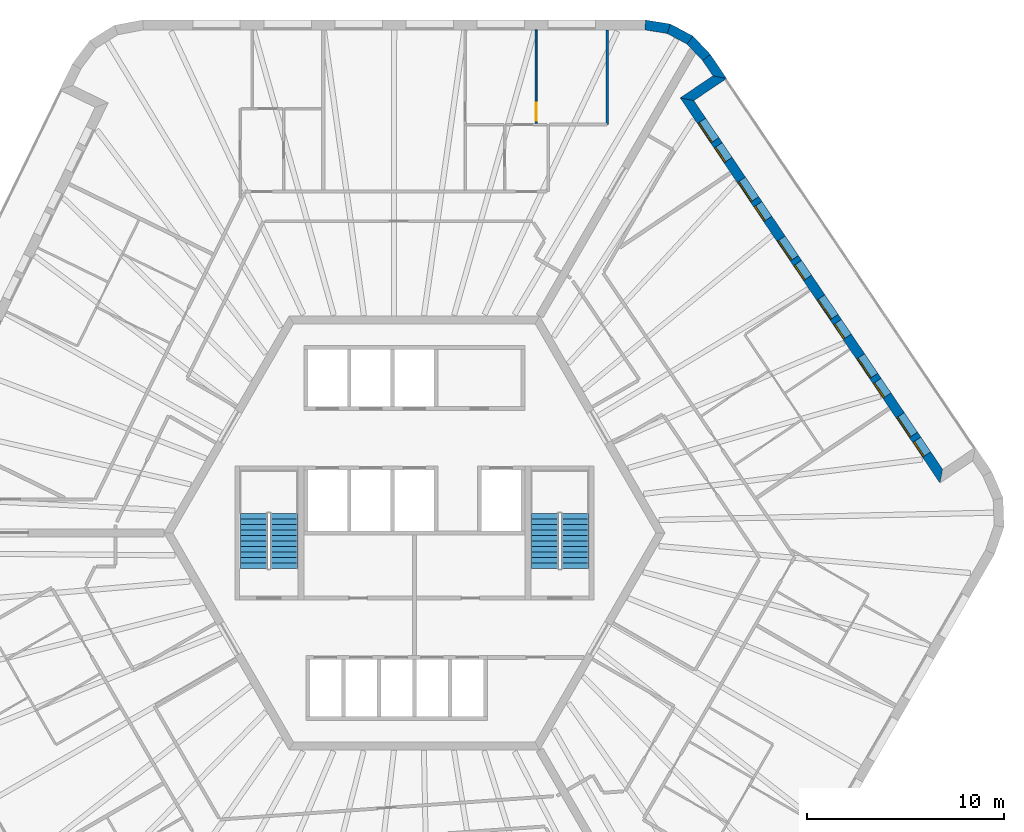
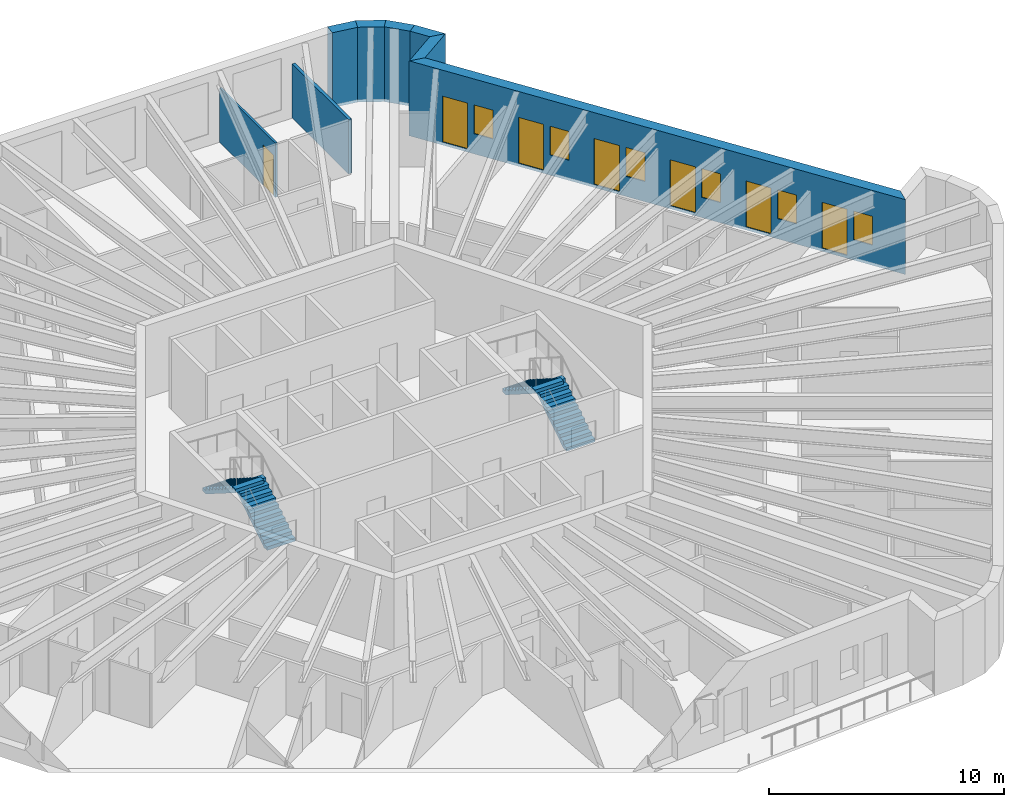
# One storey, part 11 of 12: 8 walls, 7 doors, 6 windows, 4 stair flights, 13 openings, 2 elements without a shape of their own.
"""IFC4 building model written with IfcOpenShell, lengths in metres."""

import ifcopenshell
import ifcopenshell.guid

model = None  # the IFC model being written
_history = None  # IfcOwnerHistory: only IFC2X3 demands one
_inside = {}  # id of a spatial element -> (the spatial element, [elements in it])
_under = {}  # id of a project, library or spatial element -> (it, [spatial elements below it])
_declared = {}  # id of a project -> (the project, [libraries it declares])
_typed = {}  # id of a type object -> (the type object, [elements of that type])
_made_of = {}  # id of a material, layer set ... -> (it, [elements and type objects made of it])


def new_model(schema):
    """Start an empty IFC model of exactly this schema.

    Asked for "IFC4X3", IfcOpenShell would pick the latest addendum, in which some entities
    have other attributes; the version numbers below select the first issue.
    IFC2X3 requires an IfcOwnerHistory on every rooted entity: one is made here for all.
    """
    global model, _history
    if schema == "IFC4X3":
        model = ifcopenshell.file(schema_version=(4, 3, 0, 0))
    else:
        model = ifcopenshell.file(schema=schema)
    _inside.clear()
    _under.clear()
    _declared.clear()
    _typed.clear()
    _made_of.clear()
    _history = None
    if model.schema == "IFC2X3":
        org = make("IfcOrganization", Name="unknown")
        user = make(
            "IfcPersonAndOrganization",
            ThePerson=make("IfcPerson", FamilyName="unknown"),
            TheOrganization=org,
        )
        app = make(
            "IfcApplication",
            ApplicationDeveloper=org,
            Version="unknown",
            ApplicationFullName="unknown",
            ApplicationIdentifier="unknown",
        )
        _history = make(
            "IfcOwnerHistory",
            OwningUser=user,
            OwningApplication=app,
            ChangeAction="ADDED",
            CreationDate=0,
        )
    return model


def make(cls, **values):
    """One entity of the class cls with the attributes given. An attribute that is None is left unset."""
    return model.create_entity(
        cls, **{name: value for name, value in values.items() if value is not None}
    )


def rooted(cls, **values):
    """An entity with a GlobalId (a new one), such as an element, a storey or a relation."""
    return make(cls, GlobalId=ifcopenshell.guid.new(), OwnerHistory=_history, **values)


def si_unit(unit_type, name, prefix=None):
    """IfcSIUnit, for example si_unit("LENGTHUNIT", "METRE", prefix="MILLI")."""
    return make("IfcSIUnit", UnitType=unit_type, Prefix=prefix, Name=name)


def assignment(units):
    """IfcUnitAssignment: the units of a project."""
    return None if units is None else make("IfcUnitAssignment", Units=units)


def point(xyz):
    """IfcCartesianPoint."""
    return None if xyz is None else make("IfcCartesianPoint", Coordinates=xyz)


def direction(xyz):
    """IfcDirection."""
    return None if xyz is None else make("IfcDirection", DirectionRatios=xyz)


def frame(location, z_axis=None, x_axis=None):
    """IfcAxis2Placement3D, a coordinate frame: its origin and axes. An axis left out is left unset."""
    return make(
        "IfcAxis2Placement3D",
        Location=point(location),
        Axis=direction(z_axis),
        RefDirection=direction(x_axis),
    )


def frame_2d(location, x_axis=None):
    """IfcAxis2Placement2D, a coordinate frame in the plane: its origin and x axis."""
    return make(
        "IfcAxis2Placement2D", Location=point(location), RefDirection=direction(x_axis)
    )


def origin():
    """The frame at (0, 0, 0) with its axes left unset."""
    return frame((0.0, 0.0, 0.0))


def place(relative_to, where):
    """IfcLocalPlacement: puts the frame where relative to a parent placement (None: the world)."""
    return make(
        "IfcLocalPlacement", PlacementRelTo=relative_to, RelativePlacement=where
    )


def context(
    kind, dimensions, precision=None, world=None, true_north=None, identifier=None
):
    """IfcGeometricRepresentationContext, for example the 3D "Model" context."""
    return make(
        "IfcGeometricRepresentationContext",
        ContextIdentifier=identifier,
        ContextType=kind,
        CoordinateSpaceDimension=dimensions,
        Precision=precision,
        WorldCoordinateSystem=world,
        TrueNorth=true_north,
    )


def subcontext(parent, identifier, kind, view, scale=None):
    """IfcGeometricRepresentationSubContext, for example "Body" below "Model"."""
    return make(
        "IfcGeometricRepresentationSubContext",
        ContextIdentifier=identifier,
        ContextType=kind,
        ParentContext=parent,
        TargetScale=scale,
        TargetView=view,
    )


def project(units=None, contexts=None):
    """IfcProject with its units and contexts."""
    return rooted(
        "IfcProject",
        Name="project",
        RepresentationContexts=contexts,
        UnitsInContext=assignment(units),
    )


def spatial(cls, under=None, at=None, **own):
    """A site, building, storey or space (cls), placed at a placement, below another one or the project."""
    s = rooted(cls, ObjectPlacement=at, **own)
    if under is not None:
        _under.setdefault(under.id(), (under, []))[1].append(s)
    return s


def polyline(points):
    """IfcPolyline through the points."""
    return make("IfcPolyline", Points=[point(p) for p in points])


def profile(cls, at=None, kind="AREA", **sizes):
    """A parametric profile (cls). Its sizes go by their IFC names, for example OverallWidth=200.0."""
    return make(cls, ProfileType=kind, Position=at, **sizes)


def rectangle(**sizes):
    """IfcRectangleProfileDef."""
    return profile("IfcRectangleProfileDef", **sizes)


def outline(outer, holes=None, kind="AREA"):
    """IfcArbitraryClosedProfileDef: a profile drawn as a closed curve; with holes, ...WithVoids."""
    if holes is None:
        return make("IfcArbitraryClosedProfileDef", ProfileType=kind, OuterCurve=outer)
    return make(
        "IfcArbitraryProfileDefWithVoids",
        ProfileType=kind,
        OuterCurve=outer,
        InnerCurves=holes,
    )


def extrude(swept, where, along, depth):
    """IfcExtrudedAreaSolid: the profile swept, set in the frame where, extruded along a direction by depth."""
    return make(
        "IfcExtrudedAreaSolid",
        SweptArea=swept,
        Position=where,
        ExtrudedDirection=direction(along),
        Depth=depth,
    )


def shape(context_of_items, identifier, shape_type, items):
    """IfcShapeRepresentation: the items that make up one representation, for example the "Body"."""
    return make(
        "IfcShapeRepresentation",
        ContextOfItems=context_of_items,
        RepresentationIdentifier=identifier,
        RepresentationType=shape_type,
        Items=items,
    )


def material(Name=None, Category=None):
    """IfcMaterial."""
    return make("IfcMaterial", Name=Name, Category=Category)


def layer(
    of_material, thickness, ventilated=None, Name=None, Category=None, Priority=None
):
    """IfcMaterialLayer: one layer of a wall or slab, of a material (None: an air gap)."""
    return make(
        "IfcMaterialLayer",
        Material=of_material,
        LayerThickness=thickness,
        IsVentilated=ventilated,
        Name=Name,
        Category=Category,
        Priority=Priority,
    )


def layer_set(layers, Name=None):
    """IfcMaterialLayerSet."""
    return make("IfcMaterialLayerSet", MaterialLayers=layers, LayerSetName=Name)


def made_of(thing, what):
    """Note that an element or type object is made of a material, layer set ...; save() writes the relation."""
    if what is not None:
        _made_of.setdefault(what.id(), (what, []))[1].append(thing)
    return thing


def type_object(cls, material=None, **own):
    """A type object (cls), such as IfcWallType, which elements share."""
    return made_of(rooted(cls, **own), material)


def element(
    cls,
    number,
    at=None,
    inside=None,
    cuts=None,
    type_object=None,
    material=None,
    context=None,
    identifier="Body",
    shape_type=None,
    held_by="IfcProductDefinitionShape",
    body=None,
    shapes=None,
    **own,
):
    """One element of the class cls, such as IfcWall. Its Tag is "e" and its number.

    at: its placement. inside: the storey or other place that contains it. cuts: it is an
    opening in that element (IfcRelVoidsElement). A single representation is given by context,
    identifier, shape_type and body (its items); several are given by shapes. held_by: the class
    of the entity that holds the representations. save() writes the other relations.
    """
    e = rooted(cls, Tag="e%d" % number, ObjectPlacement=at, **own)
    if body is not None:
        shapes = [shape(context, identifier, shape_type, body)]
    if shapes is not None:
        e.Representation = make(held_by, Representations=shapes)
    if inside is not None:
        _inside.setdefault(inside.id(), (inside, []))[1].append(e)
    if cuts is not None:
        rooted(
            "IfcRelVoidsElement", RelatingBuildingElement=cuts, RelatedOpeningElement=e
        )
    if type_object is not None:
        _typed.setdefault(type_object.id(), (type_object, []))[1].append(e)
    return made_of(e, material)


def fill(opening, filler):
    """IfcRelFillsElement: the door or window that sits in an opening."""
    return rooted(
        "IfcRelFillsElement",
        RelatingOpeningElement=opening,
        RelatedBuildingElement=filler,
    )


def aggregate(whole, parts):
    """IfcRelAggregates: a whole, such as a stair, and the parts it consists of."""
    return rooted("IfcRelAggregates", RelatingObject=whole, RelatedObjects=parts)


def save(model, path):
    """Write the relations noted so far, then the file.

    IfcRelAggregates (storeys below a building ...), IfcRelContainedInSpatialStructure (elements
    in a storey), IfcRelDefinesByType, IfcRelAssociatesMaterial and IfcRelDeclares: one each for
    every whole, place, type object, material and project.
    """
    for whole, parts in _under.values():
        aggregate(whole, parts)
    for where, things in _inside.values():
        rooted(
            "IfcRelContainedInSpatialStructure",
            RelatedElements=things,
            RelatingStructure=where,
        )
    for kind, things in _typed.values():
        rooted("IfcRelDefinesByType", RelatedObjects=things, RelatingType=kind)
    for what, things in _made_of.values():
        rooted("IfcRelAssociatesMaterial", RelatedObjects=things, RelatingMaterial=what)
    for by, libraries in _declared.values():
        rooted("IfcRelDeclares", RelatingContext=by, RelatedDefinitions=libraries)
    model.write(path)


model = new_model("IFC4")

# Units and contexts
model_context = context("Model", 3, precision=1e-05, world=origin(), true_north=direction((0.0, 1.0)))
body_context = subcontext(model_context, "Body", "Model", "MODEL_VIEW")
ifc_project = project(units=[si_unit("LENGTHUNIT", "METRE"), si_unit("AREAUNIT", "SQUARE_METRE"), si_unit("VOLUMEUNIT", "CUBIC_METRE"), si_unit("PLANEANGLEUNIT", "RADIAN"), si_unit("MASSUNIT", "GRAM", prefix="KILO")], contexts=[model_context])

# Site, building, storey
site_placement = place(None, origin())
site = spatial("IfcSite", under=ifc_project, at=site_placement, CompositionType="ELEMENT")
building_placement = place(site_placement, origin())
building = spatial("IfcBuilding", under=site, at=building_placement, Name="Tarnside Tower", CompositionType="ELEMENT")
storey_placement = place(building_placement, frame((0.0, 0.0, 260.10009765625)))
storey = spatial("IfcBuildingStorey", under=building, at=storey_placement, Name="L62", CompositionType="ELEMENT", Elevation=260.10009765625)

# Wall
ifc_material_1 = material(Name="Gypsum board partition on steel studs", Category="steel")
ifc_layer_1 = layer(ifc_material_1, 0.14990234375)
ifc_layer_set_1 = layer_set([ifc_layer_1], Name="Corridor wall 150 EI 60")
wall_type_1 = type_object("IfcWallType", Name="Corridor wall 150 EI 60", PredefinedType="PARTITIONING", material=ifc_layer_set_1)
wall_1_placement = place(storey_placement, frame((9.775146484375, 25.5, 0.0), z_axis=(0.0, 0.0, 1.0), x_axis=(0.0, -1.0, 0.0)))
element("IfcWall", 1, at=wall_1_placement, inside=storey, type_object=wall_type_1, Name="Corridor wall 20006", PredefinedType="PARTITIONING", context=body_context, shape_type="SweptSolid", body=[
    extrude(rectangle(XDim=4.798828125, YDim=0.14990234375, at=frame_2d((2.3994140625, 0.0))), origin(), (0.0, 0.0, 1.0), 2.8232421875),
])

# Wall, openings, doors, windows
ifc_material_2 = material(Name="Dark zinc cladding")
ifc_layer_2 = layer(ifc_material_2, 0.10205078125)
ifc_material_3 = material(Name="Concrete C60/75 precast", Category="concrete")
ifc_layer_3 = layer(ifc_material_3, 0.298095703125)
ifc_material_4 = material(Name="Mineral wool insulation")
ifc_layer_4 = layer(ifc_material_4, 0.10009765625)
ifc_layer_set_2 = layer_set([ifc_layer_2, ifc_layer_3, ifc_layer_4], Name="Loggia wall 500 zinc faced")
wall_type_2 = type_object("IfcWallType", Name="Loggia wall 500 zinc faced", PredefinedType="SOLIDWALL", material=ifc_layer_set_2)
wall_2_placement = place(storey_placement, frame((26.705810546875, 2.87890625, -0.150146484375), z_axis=(0.0, 0.0, 1.0), x_axis=(-0.559197891507, 0.829034208061, 0.0)))
wall_2 = element("IfcWall", 2, at=wall_2_placement, inside=storey, type_object=wall_type_2, Name="Tube wall L62 F6 back 30", PredefinedType="SOLIDWALL", context=body_context, shape_type="SweptSolid", body=[
    extrude(outline(polyline([(0.25, -0.25), (22.794677734375, -0.25), (23.294677734375, 0.25), (-0.25, 0.25), (0.25, -0.25)])), origin(), (0.0, 0.0, 1.0), 3.900146484375),
])
opening_1_placement = place(wall_2_placement, frame((1.322509765625, 0.0, 1.050048828125)))
opening_1 = element("IfcOpeningElement", 3, at=opening_1_placement, cuts=wall_2, Name="Opening WL500", PredefinedType="OPENING", context=body_context, shape_type="SweptSolid", body=[
    extrude(rectangle(XDim=0.89990234375, YDim=1.5, at=frame_2d((0.449951171875, 0.75))), frame((0.0, 0.260009765625, 0.0), z_axis=(0.0, -1.0, 0.0), x_axis=(1.0, 0.0, 0.0)), (0.0, 0.0, 1.0), 0.52001953125),
])
opening_2_placement = place(wall_2_placement, frame((2.5224609375, 0.0, 0.14990234375)))
opening_2 = element("IfcOpeningElement", 4, at=opening_2_placement, cuts=wall_2, Name="Opening DB500", PredefinedType="OPENING", context=body_context, shape_type="SweptSolid", body=[
    extrude(rectangle(XDim=1.199951171875, YDim=2.39990234375, at=frame_2d((0.60009765625, 1.199951171875))), frame((0.0, 0.260009765625, 0.0), z_axis=(0.0, -1.0, 0.0), x_axis=(1.0, 0.0, 0.0)), (0.0, 0.0, 1.0), 0.52001953125),
])
opening_3_placement = place(wall_2_placement, frame((4.92236328125, 0.0, 1.050048828125)))
opening_3 = element("IfcOpeningElement", 5, at=opening_3_placement, cuts=wall_2, Name="Opening WL500", PredefinedType="OPENING", context=body_context, shape_type="SweptSolid", body=[
    extrude(rectangle(XDim=0.89990234375, YDim=1.5, at=frame_2d((0.449951171875, 0.75))), frame((0.0, 0.260009765625, 0.0), z_axis=(0.0, -1.0, 0.0), x_axis=(1.0, 0.0, 0.0)), (0.0, 0.0, 1.0), 0.52001953125),
])
opening_4_placement = place(wall_2_placement, frame((6.122314453125, 0.0, 0.14990234375)))
opening_4 = element("IfcOpeningElement", 6, at=opening_4_placement, cuts=wall_2, Name="Opening DB500", PredefinedType="OPENING", context=body_context, shape_type="SweptSolid", body=[
    extrude(rectangle(XDim=1.199951171875, YDim=2.39990234375, at=frame_2d((0.60009765625, 1.199951171875))), frame((0.0, 0.260009765625, 0.0), z_axis=(0.0, -1.0, 0.0), x_axis=(1.0, 0.0, 0.0)), (0.0, 0.0, 1.0), 0.52001953125),
])
opening_5_placement = place(wall_2_placement, frame((8.5224609375, 0.0, 1.050048828125)))
opening_5 = element("IfcOpeningElement", 7, at=opening_5_placement, cuts=wall_2, Name="Opening WL500", PredefinedType="OPENING", context=body_context, shape_type="SweptSolid", body=[
    extrude(rectangle(XDim=0.89990234375, YDim=1.5, at=frame_2d((0.449951171875, 0.75))), frame((0.0, 0.260009765625, 0.0), z_axis=(0.0, -1.0, 0.0), x_axis=(1.0, 0.0, 0.0)), (0.0, 0.0, 1.0), 0.52001953125),
])
opening_6_placement = place(wall_2_placement, frame((9.722412109375, 0.0, 0.14990234375)))
opening_6 = element("IfcOpeningElement", 8, at=opening_6_placement, cuts=wall_2, Name="Opening DB500", PredefinedType="OPENING", context=body_context, shape_type="SweptSolid", body=[
    extrude(rectangle(XDim=1.199951171875, YDim=2.39990234375, at=frame_2d((0.60009765625, 1.199951171875))), frame((0.0, 0.260009765625, 0.0), z_axis=(0.0, -1.0, 0.0), x_axis=(1.0, 0.0, 0.0)), (0.0, 0.0, 1.0), 0.52001953125),
])
opening_7_placement = place(wall_2_placement, frame((12.122314453125, 0.0, 1.050048828125)))
opening_7 = element("IfcOpeningElement", 9, at=opening_7_placement, cuts=wall_2, Name="Opening WL500", PredefinedType="OPENING", context=body_context, shape_type="SweptSolid", body=[
    extrude(rectangle(XDim=0.89990234375, YDim=1.5, at=frame_2d((0.449951171875, 0.75))), frame((0.0, 0.260009765625, 0.0), z_axis=(0.0, -1.0, 0.0), x_axis=(1.0, 0.0, 0.0)), (0.0, 0.0, 1.0), 0.52001953125),
])
opening_8_placement = place(wall_2_placement, frame((13.322509765625, 0.0, 0.14990234375)))
opening_8 = element("IfcOpeningElement", 10, at=opening_8_placement, cuts=wall_2, Name="Opening DB500", PredefinedType="OPENING", context=body_context, shape_type="SweptSolid", body=[
    extrude(rectangle(XDim=1.199951171875, YDim=2.39990234375, at=frame_2d((0.60009765625, 1.199951171875))), frame((0.0, 0.260009765625, 0.0), z_axis=(0.0, -1.0, 0.0), x_axis=(1.0, 0.0, 0.0)), (0.0, 0.0, 1.0), 0.52001953125),
])
opening_9_placement = place(wall_2_placement, frame((15.722412109375, 0.0, 1.050048828125)))
opening_9 = element("IfcOpeningElement", 11, at=opening_9_placement, cuts=wall_2, Name="Opening WL500", PredefinedType="OPENING", context=body_context, shape_type="SweptSolid", body=[
    extrude(rectangle(XDim=0.89990234375, YDim=1.5, at=frame_2d((0.449951171875, 0.75))), frame((0.0, 0.260009765625, 0.0), z_axis=(0.0, -1.0, 0.0), x_axis=(1.0, 0.0, 0.0)), (0.0, 0.0, 1.0), 0.52001953125),
])
opening_10_placement = place(wall_2_placement, frame((16.92236328125, 0.0, 0.14990234375)))
opening_10 = element("IfcOpeningElement", 12, at=opening_10_placement, cuts=wall_2, Name="Opening DB500", PredefinedType="OPENING", context=body_context, shape_type="SweptSolid", body=[
    extrude(rectangle(XDim=1.199951171875, YDim=2.39990234375, at=frame_2d((0.60009765625, 1.199951171875))), frame((0.0, 0.260009765625, 0.0), z_axis=(0.0, -1.0, 0.0), x_axis=(1.0, 0.0, 0.0)), (0.0, 0.0, 1.0), 0.52001953125),
])
opening_11_placement = place(wall_2_placement, frame((19.322509765625, 0.0, 1.050048828125)))
opening_11 = element("IfcOpeningElement", 13, at=opening_11_placement, cuts=wall_2, Name="Opening WL500", PredefinedType="OPENING", context=body_context, shape_type="SweptSolid", body=[
    extrude(rectangle(XDim=0.89990234375, YDim=1.5, at=frame_2d((0.449951171875, 0.75))), frame((0.0, 0.260009765625, 0.0), z_axis=(0.0, -1.0, 0.0), x_axis=(1.0, 0.0, 0.0)), (0.0, 0.0, 1.0), 0.52001953125),
])
opening_12_placement = place(wall_2_placement, frame((20.5224609375, 0.0, 0.14990234375)))
opening_12 = element("IfcOpeningElement", 14, at=opening_12_placement, cuts=wall_2, Name="Opening DB500", PredefinedType="OPENING", context=body_context, shape_type="SweptSolid", body=[
    extrude(rectangle(XDim=1.199951171875, YDim=2.39990234375, at=frame_2d((0.60009765625, 1.199951171875))), frame((0.0, 0.260009765625, 0.0), z_axis=(0.0, -1.0, 0.0), x_axis=(1.0, 0.0, 0.0)), (0.0, 0.0, 1.0), 0.52001953125),
])
ifc_material_5 = material(Name="Aluminium-framed double glazing", Category="aluminium")
door_type_1 = type_object("IfcDoorType", Name="Balcony sliding door 1200 x 2400 in 500 wall", OperationType="SLIDING_TO_LEFT", PredefinedType="DOOR", material=ifc_material_5)
door_1_placement = place(opening_2_placement, frame((0.0, 0.1748046875, 0.0)))
door_1 = element("IfcDoor", 15, at=door_1_placement, inside=storey, type_object=door_type_1, Name="E.BD.L62.F6.00", OperationType="SLIDING_TO_LEFT", OverallHeight=2.39990234375, OverallWidth=1.199951171875, PredefinedType="DOOR", context=body_context, shape_type="SweptSolid", body=[
    extrude(rectangle(XDim=1.199951171875, YDim=2.39990234375, at=frame_2d((0.60009765625, 1.199951171875))), frame((0.0, 0.02490234375, 0.0), z_axis=(0.0, -1.0, 0.0), x_axis=(1.0, 0.0, 0.0)), (0.0, 0.0, 1.0), 0.050048828125),
])
fill(opening_2, door_1)
door_2_placement = place(opening_4_placement, frame((0.0, 0.1748046875, 0.0)))
door_2 = element("IfcDoor", 16, at=door_2_placement, inside=storey, type_object=door_type_1, Name="E.BD.L62.F6.01", OperationType="SLIDING_TO_LEFT", OverallHeight=2.39990234375, OverallWidth=1.199951171875, PredefinedType="DOOR", context=body_context, shape_type="SweptSolid", body=[
    extrude(rectangle(XDim=1.199951171875, YDim=2.39990234375, at=frame_2d((0.60009765625, 1.199951171875))), frame((0.0, 0.02490234375, 0.0), z_axis=(0.0, -1.0, 0.0), x_axis=(1.0, 0.0, 0.0)), (0.0, 0.0, 1.0), 0.050048828125),
])
fill(opening_4, door_2)
door_3_placement = place(opening_6_placement, frame((0.0, 0.1748046875, 0.0)))
door_3 = element("IfcDoor", 17, at=door_3_placement, inside=storey, type_object=door_type_1, Name="E.BD.L62.F6.02", OperationType="SLIDING_TO_LEFT", OverallHeight=2.39990234375, OverallWidth=1.199951171875, PredefinedType="DOOR", context=body_context, shape_type="SweptSolid", body=[
    extrude(rectangle(XDim=1.199951171875, YDim=2.39990234375, at=frame_2d((0.60009765625, 1.199951171875))), frame((0.0, 0.02490234375, 0.0), z_axis=(0.0, -1.0, 0.0), x_axis=(1.0, 0.0, 0.0)), (0.0, 0.0, 1.0), 0.050048828125),
])
fill(opening_6, door_3)
door_4_placement = place(opening_8_placement, frame((0.0, 0.1748046875, 0.0)))
door_4 = element("IfcDoor", 18, at=door_4_placement, inside=storey, type_object=door_type_1, Name="E.BD.L62.F6.03", OperationType="SLIDING_TO_LEFT", OverallHeight=2.39990234375, OverallWidth=1.199951171875, PredefinedType="DOOR", context=body_context, shape_type="SweptSolid", body=[
    extrude(rectangle(XDim=1.199951171875, YDim=2.39990234375, at=frame_2d((0.60009765625, 1.199951171875))), frame((0.0, 0.02490234375, 0.0), z_axis=(0.0, -1.0, 0.0), x_axis=(1.0, 0.0, 0.0)), (0.0, 0.0, 1.0), 0.050048828125),
])
fill(opening_8, door_4)
door_5_placement = place(opening_10_placement, frame((0.0, 0.1748046875, 0.0)))
door_5 = element("IfcDoor", 19, at=door_5_placement, inside=storey, type_object=door_type_1, Name="E.BD.L62.F6.04", OperationType="SLIDING_TO_LEFT", OverallHeight=2.39990234375, OverallWidth=1.199951171875, PredefinedType="DOOR", context=body_context, shape_type="SweptSolid", body=[
    extrude(rectangle(XDim=1.199951171875, YDim=2.39990234375, at=frame_2d((0.60009765625, 1.199951171875))), frame((0.0, 0.02490234375, 0.0), z_axis=(0.0, -1.0, 0.0), x_axis=(1.0, 0.0, 0.0)), (0.0, 0.0, 1.0), 0.050048828125),
])
fill(opening_10, door_5)
door_6_placement = place(opening_12_placement, frame((0.0, 0.1748046875, 0.0)))
door_6 = element("IfcDoor", 20, at=door_6_placement, inside=storey, type_object=door_type_1, Name="E.BD.L62.F6.05", OperationType="SLIDING_TO_LEFT", OverallHeight=2.39990234375, OverallWidth=1.199951171875, PredefinedType="DOOR", context=body_context, shape_type="SweptSolid", body=[
    extrude(rectangle(XDim=1.199951171875, YDim=2.39990234375, at=frame_2d((0.60009765625, 1.199951171875))), frame((0.0, 0.02490234375, 0.0), z_axis=(0.0, -1.0, 0.0), x_axis=(1.0, 0.0, 0.0)), (0.0, 0.0, 1.0), 0.050048828125),
])
fill(opening_12, door_6)
window_type = type_object("IfcWindowType", Name="Loggia window 900 x 1500 in 500 wall", PartitioningType="SINGLE_PANEL", PredefinedType="WINDOW", material=ifc_material_5)
window_1_placement = place(opening_1_placement, frame((0.0, 0.179931640625, 0.0)))
window_1 = element("IfcWindow", 21, at=window_1_placement, inside=storey, type_object=window_type, Name="E.LW.L62.F6.00", OverallHeight=1.5, OverallWidth=0.89990234375, PartitioningType="SINGLE_PANEL", PredefinedType="WINDOW", context=body_context, shape_type="SweptSolid", body=[
    extrude(rectangle(XDim=0.89990234375, YDim=1.5, at=frame_2d((0.449951171875, 0.75))), frame((0.0, 0.030029296875, 0.0), z_axis=(0.0, -1.0, 0.0), x_axis=(1.0, 0.0, 0.0)), (0.0, 0.0, 1.0), 0.06005859375),
])
fill(opening_1, window_1)
window_2_placement = place(opening_3_placement, frame((0.0, 0.179931640625, 0.0)))
window_2 = element("IfcWindow", 22, at=window_2_placement, inside=storey, type_object=window_type, Name="E.LW.L62.F6.01", OverallHeight=1.5, OverallWidth=0.89990234375, PartitioningType="SINGLE_PANEL", PredefinedType="WINDOW", context=body_context, shape_type="SweptSolid", body=[
    extrude(rectangle(XDim=0.89990234375, YDim=1.5, at=frame_2d((0.449951171875, 0.75))), frame((0.0, 0.030029296875, 0.0), z_axis=(0.0, -1.0, 0.0), x_axis=(1.0, 0.0, 0.0)), (0.0, 0.0, 1.0), 0.06005859375),
])
fill(opening_3, window_2)
window_3_placement = place(opening_5_placement, frame((0.0, 0.179931640625, 0.0)))
window_3 = element("IfcWindow", 23, at=window_3_placement, inside=storey, type_object=window_type, Name="E.LW.L62.F6.02", OverallHeight=1.5, OverallWidth=0.89990234375, PartitioningType="SINGLE_PANEL", PredefinedType="WINDOW", context=body_context, shape_type="SweptSolid", body=[
    extrude(rectangle(XDim=0.89990234375, YDim=1.5, at=frame_2d((0.449951171875, 0.75))), frame((0.0, 0.030029296875, 0.0), z_axis=(0.0, -1.0, 0.0), x_axis=(1.0, 0.0, 0.0)), (0.0, 0.0, 1.0), 0.06005859375),
])
fill(opening_5, window_3)
window_4_placement = place(opening_7_placement, frame((0.0, 0.179931640625, 0.0)))
window_4 = element("IfcWindow", 24, at=window_4_placement, inside=storey, type_object=window_type, Name="E.LW.L62.F6.03", OverallHeight=1.5, OverallWidth=0.89990234375, PartitioningType="SINGLE_PANEL", PredefinedType="WINDOW", context=body_context, shape_type="SweptSolid", body=[
    extrude(rectangle(XDim=0.89990234375, YDim=1.5, at=frame_2d((0.449951171875, 0.75))), frame((0.0, 0.030029296875, 0.0), z_axis=(0.0, -1.0, 0.0), x_axis=(1.0, 0.0, 0.0)), (0.0, 0.0, 1.0), 0.06005859375),
])
fill(opening_7, window_4)
window_5_placement = place(opening_9_placement, frame((0.0, 0.179931640625, 0.0)))
window_5 = element("IfcWindow", 25, at=window_5_placement, inside=storey, type_object=window_type, Name="E.LW.L62.F6.04", OverallHeight=1.5, OverallWidth=0.89990234375, PartitioningType="SINGLE_PANEL", PredefinedType="WINDOW", context=body_context, shape_type="SweptSolid", body=[
    extrude(rectangle(XDim=0.89990234375, YDim=1.5, at=frame_2d((0.449951171875, 0.75))), frame((0.0, 0.030029296875, 0.0), z_axis=(0.0, -1.0, 0.0), x_axis=(1.0, 0.0, 0.0)), (0.0, 0.0, 1.0), 0.06005859375),
])
fill(opening_9, window_5)
window_6_placement = place(opening_11_placement, frame((0.0, 0.179931640625, 0.0)))
window_6 = element("IfcWindow", 26, at=window_6_placement, inside=storey, type_object=window_type, Name="E.LW.L62.F6.05", OverallHeight=1.5, OverallWidth=0.89990234375, PartitioningType="SINGLE_PANEL", PredefinedType="WINDOW", context=body_context, shape_type="SweptSolid", body=[
    extrude(rectangle(XDim=0.89990234375, YDim=1.5, at=frame_2d((0.449951171875, 0.75))), frame((0.0, 0.030029296875, 0.0), z_axis=(0.0, -1.0, 0.0), x_axis=(1.0, 0.0, 0.0)), (0.0, 0.0, 1.0), 0.06005859375),
])
fill(opening_11, window_6)

# Walls
wall_3_placement = place(storey_placement, frame((13.8193359375, 21.983642578125, -0.150146484375), z_axis=(0.0, 0.0, 1.0), x_axis=(0.829052389485, 0.559170935841, 0.0)))
element("IfcWall", 27, at=wall_3_placement, inside=storey, type_object=wall_type_2, Name="Tube wall L62 F6 return 31", PredefinedType="SOLIDWALL", context=body_context, shape_type="SweptSolid", body=[
    extrude(outline(polyline([(0.25, -0.25), (2.25, -0.25), (1.75, 0.25), (-0.25, 0.25), (0.25, -0.25)])), origin(), (0.0, 0.0, 1.0), 3.900146484375),
])
wall_4_placement = place(storey_placement, frame((15.4775390625, 23.10205078125, -0.150146484375), z_axis=(0.0, 0.0, 1.0), x_axis=(-0.559245726333, 0.829001940636, 0.0)))
element("IfcWall", 28, at=wall_4_placement, inside=storey, type_object=wall_type_2, Name="Tube wall L62 F6 stub 32", PredefinedType="SOLIDWALL", context=body_context, shape_type="SweptSolid", body=[
    extrude(outline(polyline([(-0.25, -0.25), (1.220703125, -0.25), (1.1796875, 0.25), (0.25, 0.25), (-0.25, -0.25)])), origin(), (0.0, 0.0, 1.0), 3.900146484375),
])

# Wall, opening, door
ifc_layer_5 = layer(ifc_material_1, 0.10009765625)
ifc_layer_set_3 = layer_set([ifc_layer_5], Name="Partition 100")
wall_type_3 = type_object("IfcWallType", Name="Partition 100", PredefinedType="PARTITIONING", material=ifc_layer_set_3)
wall_5_placement = place(storey_placement, frame((6.17529296875, 25.5, 0.0), z_axis=(0.0, 0.0, 1.0), x_axis=(0.0, -1.0, 0.0)))
wall_5 = element("IfcWall", 29, at=wall_5_placement, inside=storey, type_object=wall_type_3, Name="Partition wall 20089", PredefinedType="PARTITIONING", context=body_context, shape_type="SweptSolid", body=[
    extrude(rectangle(XDim=4.75, YDim=0.10009765625, at=frame_2d((2.375, 0.0))), origin(), (0.0, 0.0, 1.0), 2.8232421875),
])
opening_13_placement = place(wall_5_placement, frame((3.699951171875, 0.0, 0.0)))
opening_13 = element("IfcOpeningElement", 30, at=opening_13_placement, cuts=wall_5, Name="Opening D-I1", PredefinedType="OPENING", context=body_context, shape_type="SweptSolid", body=[
    extrude(rectangle(XDim=0.89990234375, YDim=2.10009765625, at=frame_2d((0.449951171875, 1.050048828125))), frame((0.0, 0.06005859375, 0.0), z_axis=(0.0, -1.0, 0.0), x_axis=(1.0, 0.0, 0.0)), (0.0, 0.0, 1.0), 0.1201171875),
])
ifc_material_6 = material(Name="Timber door leaf", Category="wood")
door_type_2 = type_object("IfcDoorType", Name="Internal door 900", OperationType="NOTDEFINED", PredefinedType="DOOR", material=ifc_material_6)
door_7_placement = place(opening_13_placement, origin())
door_7 = element("IfcDoor", 31, at=door_7_placement, inside=storey, type_object=door_type_2, Name="Internal door 20008", OperationType="SINGLE_SWING_RIGHT", OverallHeight=2.10009765625, OverallWidth=0.89990234375, PredefinedType="DOOR", context=body_context, shape_type="SweptSolid", body=[
    extrude(rectangle(XDim=0.89990234375, YDim=2.10009765625, at=frame_2d((0.449951171875, 1.050048828125))), frame((0.0, 0.02490234375, 0.0), z_axis=(0.0, -1.0, 0.0), x_axis=(1.0, 0.0, 0.0)), (0.0, 0.0, 1.0), 0.050048828125),
])
fill(opening_13, door_7)

# Walls
ifc_material_7 = material(Name="Facing brick", Category="masonry")
ifc_layer_6 = layer(ifc_material_7, 0.10205078125)
ifc_layer_7 = layer(ifc_material_3, 0.298095703125)
ifc_layer_8 = layer(ifc_material_4, 0.10009765625)
ifc_layer_set_4 = layer_set([ifc_layer_6, ifc_layer_7, ifc_layer_8], Name="Tube wall 500 brick faced")
wall_type_4 = type_object("IfcWallType", Name="Tube wall 500 brick faced", PredefinedType="SOLIDWALL", material=ifc_layer_set_4)
wall_6_placement = place(storey_placement, frame((14.806396484375, 24.096923828125, -0.150146484375), z_axis=(0.0, 0.0, 1.0), x_axis=(-0.686234452793, 0.727380420275, 0.0)))
element("IfcWall", 32, at=wall_6_placement, inside=storey, type_object=wall_type_4, Name="Tube wall L62 F6 chord 33", PredefinedType="SOLIDWALL", context=body_context, shape_type="SweptSolid", body=[
    extrude(outline(polyline([(-0.0205078125, -0.25), (1.25732421875, -0.25), (1.17529296875, 0.25), (0.0205078125, 0.25), (-0.0205078125, -0.25)])), origin(), (0.0, 0.0, 1.0), 3.900146484375),
])
wall_7_placement = place(storey_placement, frame((13.9716796875, 24.981689453125, -0.150146484375), z_axis=(0.0, 0.0, 1.0), x_axis=(-0.882902492938, 0.469556373575, 0.0)))
element("IfcWall", 33, at=wall_7_placement, inside=storey, type_object=wall_type_4, Name="Tube wall L62 F6 chord 34", PredefinedType="SOLIDWALL", context=body_context, shape_type="SweptSolid", body=[
    extrude(outline(polyline([(-0.041015625, -0.25), (1.257080078125, -0.25), (1.175048828125, 0.25), (0.041015625, 0.25), (-0.041015625, -0.25)])), origin(), (0.0, 0.0, 1.0), 3.900146484375),
])
wall_8_placement = place(storey_placement, frame((12.89794921875, 25.552734375, -0.150146484375), z_axis=(0.0, 0.0, 1.0), x_axis=(-0.986765617372, 0.16215306464, 0.0)))
element("IfcWall", 34, at=wall_8_placement, inside=storey, type_object=wall_type_4, Name="Tube wall L62 F6 chord 35", PredefinedType="SOLIDWALL", context=body_context, shape_type="SweptSolid", body=[
    extrude(outline(polyline([(-0.041015625, -0.25), (1.237060546875, -0.25), (1.196044921875, 0.25), (0.041015625, 0.25), (-0.041015625, -0.25)])), origin(), (0.0, 0.0, 1.0), 3.900146484375),
])

# Stair, stair flights
ifc_material_8 = material(Name="Concrete C40/50", Category="concrete")
stair_type = type_object("IfcStairType", Name="Exit stair 1400 clear", PredefinedType="HALF_TURN_STAIR", material=ifc_material_8)
stair_1_placement = place(storey_placement, origin())
stair_1 = element("IfcStair", 35, at=stair_1_placement, inside=storey, type_object=stair_type, Name="L62 Exit stair 1", PredefinedType="HALF_TURN_STAIR")
stair_flight_type = type_object("IfcStairFlightType", Name="Exit stair flight 1400", PredefinedType="STRAIGHT", material=ifc_material_8)
stair_flight_1_placement = place(storey_placement, frame((8.14990234375, -1.800048828125, 0.0), z_axis=(0.0, 0.0, 1.0), x_axis=(0.0, 1.0, 0.0)))
stair_flight_1 = element("IfcStairFlight", 36, at=stair_flight_1_placement, type_object=stair_flight_type, Name="ST1 flight 1", NumberOfRisers=11, NumberOfTreads=10, PredefinedType="STRAIGHT", RiserHeight=0.177272727, TreadLength=0.28, context=body_context, shape_type="SweptSolid", body=[
    extrude(outline(polyline([(0.0, 0.0), (0.0, 0.17724609375), (0.280029296875, 0.17724609375), (0.280029296875, 0.3544921875), (0.56005859375, 0.3544921875), (0.56005859375, 0.53173828125), (0.840087890625, 0.53173828125), (0.840087890625, 0.708984375), (1.1201171875, 0.708984375), (1.1201171875, 0.886474609375), (1.39990234375, 0.886474609375), (1.39990234375, 1.063720703125), (1.679931640625, 1.063720703125), (1.679931640625, 1.240966796875), (1.9599609375, 1.240966796875), (1.9599609375, 1.418212890625), (2.239990234375, 1.418212890625), (2.239990234375, 1.595458984375), (2.52001953125, 1.595458984375), (2.52001953125, 1.772705078125), (2.800048828125, 1.772705078125), (2.800048828125, 1.949951171875), (2.800048828125, 1.59521484375), (0.2802734375, 0.0), (0.0, 0.0)])), frame((0.0, 0.699951171875, 0.0), z_axis=(0.0, -1.0, 0.0), x_axis=(1.0, 0.0, 0.0)), (0.0, 0.0, 1.0), 1.39990234375),
])
stair_flight_2_placement = place(storey_placement, frame((6.60009765625, 1.0, 1.949951171875), z_axis=(0.0, 0.0, 1.0), x_axis=(0.0, -1.0, 0.0)))
stair_flight_2 = element("IfcStairFlight", 37, at=stair_flight_2_placement, type_object=stair_flight_type, Name="ST1 flight 2", NumberOfRisers=11, NumberOfTreads=10, PredefinedType="STRAIGHT", RiserHeight=0.177272727, TreadLength=0.28, context=body_context, shape_type="SweptSolid", body=[
    extrude(outline(polyline([(0.0, 0.0), (0.0, 0.17724609375), (0.280029296875, 0.17724609375), (0.280029296875, 0.3544921875), (0.56005859375, 0.3544921875), (0.56005859375, 0.53173828125), (0.840087890625, 0.53173828125), (0.840087890625, 0.708984375), (1.1201171875, 0.708984375), (1.1201171875, 0.886474609375), (1.39990234375, 0.886474609375), (1.39990234375, 1.063720703125), (1.679931640625, 1.063720703125), (1.679931640625, 1.240966796875), (1.9599609375, 1.240966796875), (1.9599609375, 1.418212890625), (2.239990234375, 1.418212890625), (2.239990234375, 1.595458984375), (2.52001953125, 1.595458984375), (2.52001953125, 1.772705078125), (2.800048828125, 1.772705078125), (2.800048828125, 1.949951171875), (2.800048828125, 1.59521484375), (0.2802734375, 0.0), (0.0, 0.0)])), frame((0.0, 0.699951171875, 0.0), z_axis=(0.0, -1.0, 0.0), x_axis=(1.0, 0.0, 0.0)), (0.0, 0.0, 1.0), 1.39990234375),
])
aggregate(stair_1, [stair_flight_1, stair_flight_2])

stair_2_placement = place(storey_placement, origin())
stair_2 = element("IfcStair", 38, at=stair_2_placement, inside=storey, type_object=stair_type, Name="L62 Exit stair 2", PredefinedType="HALF_TURN_STAIR")
stair_flight_3_placement = place(storey_placement, frame((-6.60009765625, -1.800048828125, 0.0), z_axis=(0.0, 0.0, 1.0), x_axis=(0.0, 1.0, 0.0)))
stair_flight_3 = element("IfcStairFlight", 39, at=stair_flight_3_placement, type_object=stair_flight_type, Name="ST2 flight 1", NumberOfRisers=11, NumberOfTreads=10, PredefinedType="STRAIGHT", RiserHeight=0.177272727, TreadLength=0.28, context=body_context, shape_type="SweptSolid", body=[
    extrude(outline(polyline([(0.0, 0.0), (0.0, 0.17724609375), (0.280029296875, 0.17724609375), (0.280029296875, 0.3544921875), (0.56005859375, 0.3544921875), (0.56005859375, 0.53173828125), (0.840087890625, 0.53173828125), (0.840087890625, 0.708984375), (1.1201171875, 0.708984375), (1.1201171875, 0.886474609375), (1.39990234375, 0.886474609375), (1.39990234375, 1.063720703125), (1.679931640625, 1.063720703125), (1.679931640625, 1.240966796875), (1.9599609375, 1.240966796875), (1.9599609375, 1.418212890625), (2.239990234375, 1.418212890625), (2.239990234375, 1.595458984375), (2.52001953125, 1.595458984375), (2.52001953125, 1.772705078125), (2.800048828125, 1.772705078125), (2.800048828125, 1.949951171875), (2.800048828125, 1.59521484375), (0.2802734375, 0.0), (0.0, 0.0)])), frame((0.0, 0.699951171875, 0.0), z_axis=(0.0, -1.0, 0.0), x_axis=(1.0, 0.0, 0.0)), (0.0, 0.0, 1.0), 1.39990234375),
])
stair_flight_4_placement = place(storey_placement, frame((-8.14990234375, 1.0, 1.949951171875), z_axis=(0.0, 0.0, 1.0), x_axis=(0.0, -1.0, 0.0)))
stair_flight_4 = element("IfcStairFlight", 40, at=stair_flight_4_placement, type_object=stair_flight_type, Name="ST2 flight 2", NumberOfRisers=11, NumberOfTreads=10, PredefinedType="STRAIGHT", RiserHeight=0.177272727, TreadLength=0.28, context=body_context, shape_type="SweptSolid", body=[
    extrude(outline(polyline([(0.0, 0.0), (0.0, 0.17724609375), (0.280029296875, 0.17724609375), (0.280029296875, 0.3544921875), (0.56005859375, 0.3544921875), (0.56005859375, 0.53173828125), (0.840087890625, 0.53173828125), (0.840087890625, 0.708984375), (1.1201171875, 0.708984375), (1.1201171875, 0.886474609375), (1.39990234375, 0.886474609375), (1.39990234375, 1.063720703125), (1.679931640625, 1.063720703125), (1.679931640625, 1.240966796875), (1.9599609375, 1.240966796875), (1.9599609375, 1.418212890625), (2.239990234375, 1.418212890625), (2.239990234375, 1.595458984375), (2.52001953125, 1.595458984375), (2.52001953125, 1.772705078125), (2.800048828125, 1.772705078125), (2.800048828125, 1.949951171875), (2.800048828125, 1.59521484375), (0.2802734375, 0.0), (0.0, 0.0)])), frame((0.0, 0.699951171875, 0.0), z_axis=(0.0, -1.0, 0.0), x_axis=(1.0, 0.0, 0.0)), (0.0, 0.0, 1.0), 1.39990234375),
])
aggregate(stair_2, [stair_flight_3, stair_flight_4])

save(model, "model.ifc")
